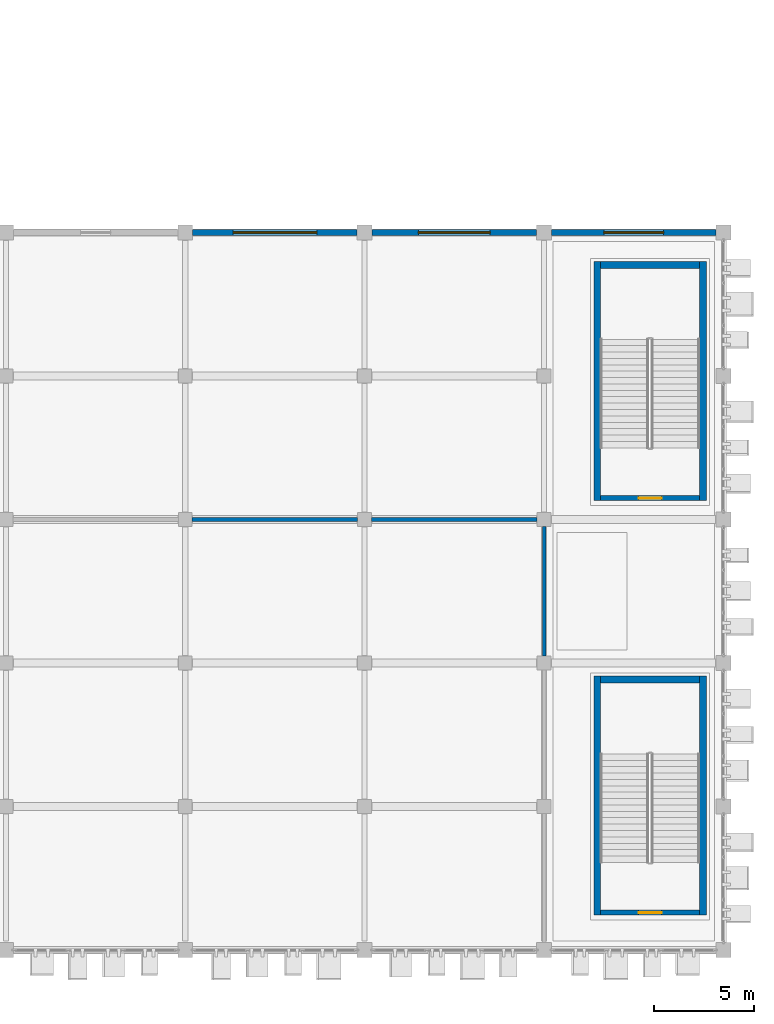
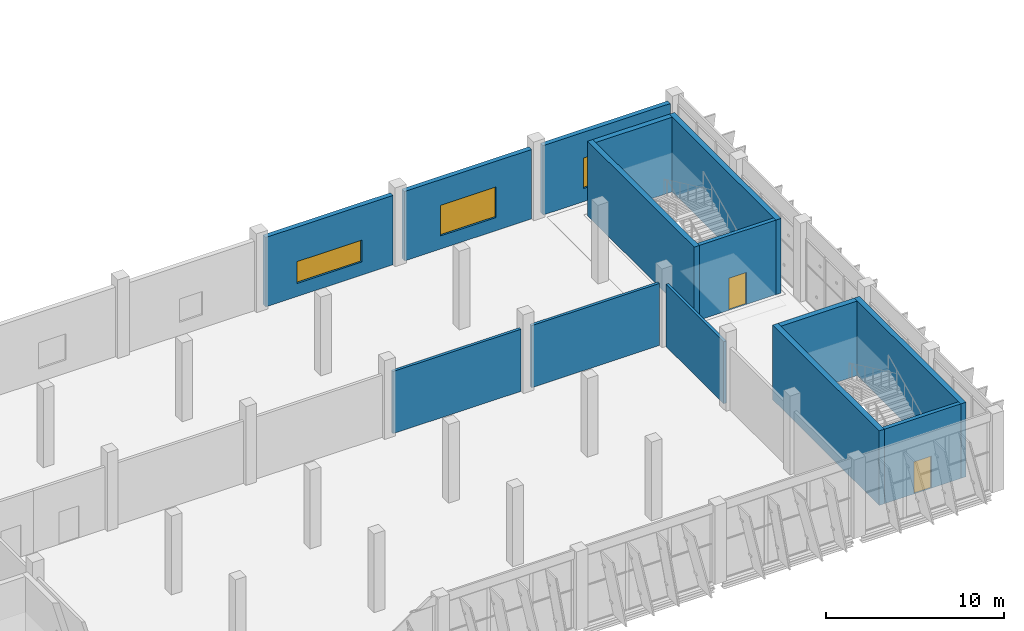
# One storey, part 136 of 189: 14 walls, 3 windows, 2 doors, 5 openings.
"""IFC4 building model written with IfcOpenShell, lengths in metres."""

import ifcopenshell
import ifcopenshell.guid

model = None  # the IFC model being written
_history = None  # IfcOwnerHistory: only IFC2X3 demands one
_inside = {}  # id of a spatial element -> (the spatial element, [elements in it])
_under = {}  # id of a project, library or spatial element -> (it, [spatial elements below it])
_declared = {}  # id of a project -> (the project, [libraries it declares])
_typed = {}  # id of a type object -> (the type object, [elements of that type])
_made_of = {}  # id of a material, layer set ... -> (it, [elements and type objects made of it])


def new_model(schema):
    """Start an empty IFC model of exactly this schema.

    Asked for "IFC4X3", IfcOpenShell would pick the latest addendum, in which some entities
    have other attributes; the version numbers below select the first issue.
    IFC2X3 requires an IfcOwnerHistory on every rooted entity: one is made here for all.
    """
    global model, _history
    if schema == "IFC4X3":
        model = ifcopenshell.file(schema_version=(4, 3, 0, 0))
    else:
        model = ifcopenshell.file(schema=schema)
    _inside.clear()
    _under.clear()
    _declared.clear()
    _typed.clear()
    _made_of.clear()
    _history = None
    if model.schema == "IFC2X3":
        org = make("IfcOrganization", Name="unknown")
        user = make(
            "IfcPersonAndOrganization",
            ThePerson=make("IfcPerson", FamilyName="unknown"),
            TheOrganization=org,
        )
        app = make(
            "IfcApplication",
            ApplicationDeveloper=org,
            Version="unknown",
            ApplicationFullName="unknown",
            ApplicationIdentifier="unknown",
        )
        _history = make(
            "IfcOwnerHistory",
            OwningUser=user,
            OwningApplication=app,
            ChangeAction="ADDED",
            CreationDate=0,
        )
    return model


def make(cls, **values):
    """One entity of the class cls with the attributes given. An attribute that is None is left unset."""
    return model.create_entity(
        cls, **{name: value for name, value in values.items() if value is not None}
    )


def rooted(cls, **values):
    """An entity with a GlobalId (a new one), such as an element, a storey or a relation."""
    return make(cls, GlobalId=ifcopenshell.guid.new(), OwnerHistory=_history, **values)


def si_unit(unit_type, name, prefix=None):
    """IfcSIUnit, for example si_unit("LENGTHUNIT", "METRE", prefix="MILLI")."""
    return make("IfcSIUnit", UnitType=unit_type, Prefix=prefix, Name=name)


def assignment(units):
    """IfcUnitAssignment: the units of a project."""
    return None if units is None else make("IfcUnitAssignment", Units=units)


def point(xyz):
    """IfcCartesianPoint."""
    return None if xyz is None else make("IfcCartesianPoint", Coordinates=xyz)


def direction(xyz):
    """IfcDirection."""
    return None if xyz is None else make("IfcDirection", DirectionRatios=xyz)


def frame(location, z_axis=None, x_axis=None):
    """IfcAxis2Placement3D, a coordinate frame: its origin and axes. An axis left out is left unset."""
    return make(
        "IfcAxis2Placement3D",
        Location=point(location),
        Axis=direction(z_axis),
        RefDirection=direction(x_axis),
    )


def frame_2d(location, x_axis=None):
    """IfcAxis2Placement2D, a coordinate frame in the plane: its origin and x axis."""
    return make(
        "IfcAxis2Placement2D", Location=point(location), RefDirection=direction(x_axis)
    )


def origin():
    """The frame at (0, 0, 0) with its axes left unset."""
    return frame((0.0, 0.0, 0.0))


def place(relative_to, where):
    """IfcLocalPlacement: puts the frame where relative to a parent placement (None: the world)."""
    return make(
        "IfcLocalPlacement", PlacementRelTo=relative_to, RelativePlacement=where
    )


def context(
    kind, dimensions, precision=None, world=None, true_north=None, identifier=None
):
    """IfcGeometricRepresentationContext, for example the 3D "Model" context."""
    return make(
        "IfcGeometricRepresentationContext",
        ContextIdentifier=identifier,
        ContextType=kind,
        CoordinateSpaceDimension=dimensions,
        Precision=precision,
        WorldCoordinateSystem=world,
        TrueNorth=true_north,
    )


def subcontext(parent, identifier, kind, view, scale=None):
    """IfcGeometricRepresentationSubContext, for example "Body" below "Model"."""
    return make(
        "IfcGeometricRepresentationSubContext",
        ContextIdentifier=identifier,
        ContextType=kind,
        ParentContext=parent,
        TargetScale=scale,
        TargetView=view,
    )


def project(units=None, contexts=None):
    """IfcProject with its units and contexts."""
    return rooted(
        "IfcProject",
        Name="project",
        RepresentationContexts=contexts,
        UnitsInContext=assignment(units),
    )


def spatial(cls, under=None, at=None, **own):
    """A site, building, storey or space (cls), placed at a placement, below another one or the project."""
    s = rooted(cls, ObjectPlacement=at, **own)
    if under is not None:
        _under.setdefault(under.id(), (under, []))[1].append(s)
    return s


def profile(cls, at=None, kind="AREA", **sizes):
    """A parametric profile (cls). Its sizes go by their IFC names, for example OverallWidth=200.0."""
    return make(cls, ProfileType=kind, Position=at, **sizes)


def rectangle(**sizes):
    """IfcRectangleProfileDef."""
    return profile("IfcRectangleProfileDef", **sizes)


def extrude(swept, where, along, depth):
    """IfcExtrudedAreaSolid: the profile swept, set in the frame where, extruded along a direction by depth."""
    return make(
        "IfcExtrudedAreaSolid",
        SweptArea=swept,
        Position=where,
        ExtrudedDirection=direction(along),
        Depth=depth,
    )


def shape(context_of_items, identifier, shape_type, items):
    """IfcShapeRepresentation: the items that make up one representation, for example the "Body"."""
    return make(
        "IfcShapeRepresentation",
        ContextOfItems=context_of_items,
        RepresentationIdentifier=identifier,
        RepresentationType=shape_type,
        Items=items,
    )


def material(Name=None, Category=None):
    """IfcMaterial."""
    return make("IfcMaterial", Name=Name, Category=Category)


def layer(
    of_material, thickness, ventilated=None, Name=None, Category=None, Priority=None
):
    """IfcMaterialLayer: one layer of a wall or slab, of a material (None: an air gap)."""
    return make(
        "IfcMaterialLayer",
        Material=of_material,
        LayerThickness=thickness,
        IsVentilated=ventilated,
        Name=Name,
        Category=Category,
        Priority=Priority,
    )


def layer_set(layers, Name=None):
    """IfcMaterialLayerSet."""
    return make("IfcMaterialLayerSet", MaterialLayers=layers, LayerSetName=Name)


def made_of(thing, what):
    """Note that an element or type object is made of a material, layer set ...; save() writes the relation."""
    if what is not None:
        _made_of.setdefault(what.id(), (what, []))[1].append(thing)
    return thing


def type_object(cls, material=None, **own):
    """A type object (cls), such as IfcWallType, which elements share."""
    return made_of(rooted(cls, **own), material)


def element(
    cls,
    number,
    at=None,
    inside=None,
    cuts=None,
    type_object=None,
    material=None,
    context=None,
    identifier="Body",
    shape_type=None,
    held_by="IfcProductDefinitionShape",
    body=None,
    shapes=None,
    **own,
):
    """One element of the class cls, such as IfcWall. Its Tag is "e" and its number.

    at: its placement. inside: the storey or other place that contains it. cuts: it is an
    opening in that element (IfcRelVoidsElement). A single representation is given by context,
    identifier, shape_type and body (its items); several are given by shapes. held_by: the class
    of the entity that holds the representations. save() writes the other relations.
    """
    e = rooted(cls, Tag="e%d" % number, ObjectPlacement=at, **own)
    if body is not None:
        shapes = [shape(context, identifier, shape_type, body)]
    if shapes is not None:
        e.Representation = make(held_by, Representations=shapes)
    if inside is not None:
        _inside.setdefault(inside.id(), (inside, []))[1].append(e)
    if cuts is not None:
        rooted(
            "IfcRelVoidsElement", RelatingBuildingElement=cuts, RelatedOpeningElement=e
        )
    if type_object is not None:
        _typed.setdefault(type_object.id(), (type_object, []))[1].append(e)
    return made_of(e, material)


def fill(opening, filler):
    """IfcRelFillsElement: the door or window that sits in an opening."""
    return rooted(
        "IfcRelFillsElement",
        RelatingOpeningElement=opening,
        RelatedBuildingElement=filler,
    )


def aggregate(whole, parts):
    """IfcRelAggregates: a whole, such as a stair, and the parts it consists of."""
    return rooted("IfcRelAggregates", RelatingObject=whole, RelatedObjects=parts)


def save(model, path):
    """Write the relations noted so far, then the file.

    IfcRelAggregates (storeys below a building ...), IfcRelContainedInSpatialStructure (elements
    in a storey), IfcRelDefinesByType, IfcRelAssociatesMaterial and IfcRelDeclares: one each for
    every whole, place, type object, material and project.
    """
    for whole, parts in _under.values():
        aggregate(whole, parts)
    for where, things in _inside.values():
        rooted(
            "IfcRelContainedInSpatialStructure",
            RelatedElements=things,
            RelatingStructure=where,
        )
    for kind, things in _typed.values():
        rooted("IfcRelDefinesByType", RelatedObjects=things, RelatingType=kind)
    for what, things in _made_of.values():
        rooted("IfcRelAssociatesMaterial", RelatedObjects=things, RelatingMaterial=what)
    for by, libraries in _declared.values():
        rooted("IfcRelDeclares", RelatingContext=by, RelatedDefinitions=libraries)
    model.write(path)


model = new_model("IFC4")

# Units and contexts
model_context = context("Model", 3, precision=1e-05, world=origin(), true_north=direction((0.0, 1.0)))
body_context = subcontext(model_context, "Body", "Model", "MODEL_VIEW")
ifc_project = project(units=[si_unit("LENGTHUNIT", "METRE"), si_unit("AREAUNIT", "SQUARE_METRE"), si_unit("VOLUMEUNIT", "CUBIC_METRE"), si_unit("PLANEANGLEUNIT", "RADIAN"), si_unit("MASSUNIT", "GRAM", prefix="KILO")], contexts=[model_context])

# Site, building, storey
site_placement = place(None, origin())
site = spatial("IfcSite", under=ifc_project, at=site_placement, CompositionType="ELEMENT")
building_placement = place(site_placement, origin())
building = spatial("IfcBuilding", under=site, at=building_placement, Name="Celestram Park Convention Centre", CompositionType="ELEMENT")
storey_placement = place(building_placement, frame((0.0, 0.0, 5.39990234375)))
storey = spatial("IfcBuildingStorey", under=building, at=storey_placement, Name="L01", CompositionType="ELEMENT", Elevation=5.39990234375)

# Wall, opening, door
ifc_material_1 = material(Name="Concrete Block Masonry C25/30", Category="masonry")
ifc_layer_1 = layer(ifc_material_1, 0.25)
ifc_layer_set_1 = layer_set([ifc_layer_1], Name="Concrete Block Masonry C25/30")
wall_type_1 = type_object("IfcWallType", Name="ARC-WL-COR250", PredefinedType="STANDARD", material=ifc_layer_set_1)
wall_1_placement = place(storey_placement, frame((209.840087890625, 1.875, 0.0), z_axis=(0.0, 0.0, 1.0), x_axis=(1.0, 0.0, 0.0)))
wall_1 = element("IfcWall", 1, at=wall_1_placement, inside=storey, type_object=wall_type_1, Name="Core S11 stair entrance wall", PredefinedType="STANDARD", context=body_context, shape_type="SweptSolid", body=[
    extrude(rectangle(XDim=4.9599609375, YDim=0.25, at=frame_2d((2.47998046875, 0.0))), origin(), (0.0, 0.0, 1.0), 5.1201171875),
])
opening_1_placement = place(wall_1_placement, frame((1.905029296875, 0.0, 0.0)))
opening_1 = element("IfcOpeningElement", 2, at=opening_1_placement, cuts=wall_1, Name="Opening D-ST1", PredefinedType="OPENING", context=body_context, shape_type="SweptSolid", body=[
    extrude(rectangle(XDim=1.14990234375, YDim=2.199951171875, at=frame_2d((0.574951171875, 1.10009765625))), frame((0.0, 0.135009765625, 0.0), z_axis=(0.0, -1.0, 0.0), x_axis=(1.0, 0.0, 0.0)), (0.0, 0.0, 1.0), 0.27001953125),
])
ifc_material_2 = material(Name="Fire-Rated Hollow Metal Steel ASTM A653", Category="steel")
door_type = type_object("IfcDoorType", Name="ARC-DR-ST115", OperationType="NOTDEFINED", PredefinedType="DOOR", material=ifc_material_2)
door_1_placement = place(opening_1_placement, origin())
door_1 = element("IfcDoor", 3, at=door_1_placement, inside=storey, type_object=door_type, Name="Exit stair ST-11 fire door", OperationType="SINGLE_SWING_RIGHT", OverallHeight=2.199951171875, OverallWidth=1.14990234375, PredefinedType="DOOR", context=body_context, shape_type="SweptSolid", body=[
    extrude(rectangle(XDim=1.14990234375, YDim=2.199951171875, at=frame_2d((0.574951171875, 1.10009765625))), frame((0.0, 0.02490234375, 0.0), z_axis=(0.0, -1.0, 0.0), x_axis=(1.0, 0.0, 0.0)), (0.0, 0.0, 1.0), 0.050048828125),
])
fill(opening_1, door_1)

wall_2_placement = place(storey_placement, frame((209.840087890625, 22.675048828125, 0.0), z_axis=(0.0, 0.0, 1.0), x_axis=(1.0, 0.0, 0.0)))
wall_2 = element("IfcWall", 4, at=wall_2_placement, inside=storey, type_object=wall_type_1, Name="Core S12 stair entrance wall", PredefinedType="STANDARD", context=body_context, shape_type="SweptSolid", body=[
    extrude(rectangle(XDim=4.9599609375, YDim=0.25, at=frame_2d((2.47998046875, 0.0))), origin(), (0.0, 0.0, 1.0), 5.1201171875),
])
opening_2_placement = place(wall_2_placement, frame((1.905029296875, 0.0, 0.0)))
opening_2 = element("IfcOpeningElement", 5, at=opening_2_placement, cuts=wall_2, Name="Opening D-ST1", PredefinedType="OPENING", context=body_context, shape_type="SweptSolid", body=[
    extrude(rectangle(XDim=1.14990234375, YDim=2.199951171875, at=frame_2d((0.574951171875, 1.10009765625))), frame((0.0, 0.135009765625, 0.0), z_axis=(0.0, -1.0, 0.0), x_axis=(1.0, 0.0, 0.0)), (0.0, 0.0, 1.0), 0.27001953125),
])
door_2_placement = place(opening_2_placement, origin())
door_2 = element("IfcDoor", 6, at=door_2_placement, inside=storey, type_object=door_type, Name="Exit stair ST-12 fire door", OperationType="SINGLE_SWING_LEFT", OverallHeight=2.199951171875, OverallWidth=1.14990234375, PredefinedType="DOOR", context=body_context, shape_type="SweptSolid", body=[
    extrude(rectangle(XDim=1.14990234375, YDim=2.199951171875, at=frame_2d((0.574951171875, 1.10009765625))), frame((0.0, 0.02490234375, 0.0), z_axis=(0.0, -1.0, 0.0), x_axis=(1.0, 0.0, 0.0)), (0.0, 0.0, 1.0), 0.050048828125),
])
fill(opening_2, door_2)

# Wall, opening, window
ifc_material_3 = material(Name="Precast Concrete C40/50", Category="concrete")
ifc_layer_2 = layer(ifc_material_3, 0.300048828125)
ifc_layer_set_2 = layer_set([ifc_layer_2], Name="Precast Concrete C40/50")
wall_type_2 = type_object("IfcWallType", Name="ARC-WL-EXT300", PredefinedType="STANDARD", material=ifc_layer_set_2)
wall_3_placement = place(storey_placement, frame((189.373046875, 36.0, 0.0), z_axis=(0.0, 0.0, 1.0), x_axis=(1.0, 0.0, 0.0)))
wall_3 = element("IfcWall", 7, at=wall_3_placement, inside=storey, type_object=wall_type_2, Name="Bush-hammered precast exterior wall WL-L01-EW115", PredefinedType="STANDARD", context=body_context, shape_type="SweptSolid", body=[
    extrude(rectangle(XDim=8.25390625, YDim=0.300048828125, at=frame_2d((4.126953125, 0.0))), origin(), (0.0, 0.0, 1.0), 4.76416015625),
])
opening_3_placement = place(wall_3_placement, frame((2.027099609375, 0.0, 0.89990234375)))
opening_3 = element("IfcOpeningElement", 8, at=opening_3_placement, cuts=wall_3, Name="Opening W-08", PredefinedType="OPENING", context=body_context, shape_type="SweptSolid", body=[
    extrude(rectangle(XDim=4.199951171875, YDim=1.5, at=frame_2d((2.10009765625, 0.75))), frame((0.0, 0.159912109375, 0.0), z_axis=(0.0, -1.0, 0.0), x_axis=(1.0, 0.0, 0.0)), (0.0, 0.0, 1.0), 0.320068359375),
])
ifc_material_4 = material(Name="Thermally Broken Aluminium & Triple Glazing", Category="aluminium")
window_type_1 = type_object("IfcWindowType", Name="ARC-WN-420X150", PartitioningType="SINGLE_PANEL", PredefinedType="WINDOW", material=ifc_material_4)
window_1_placement = place(opening_3_placement, origin())
window_1 = element("IfcWindow", 9, at=window_1_placement, inside=storey, type_object=window_type_1, Name="Punched exterior window WN-L01-032", OverallHeight=1.5, OverallWidth=4.199951171875, PartitioningType="SINGLE_PANEL", PredefinedType="WINDOW", context=body_context, shape_type="SweptSolid", body=[
    extrude(rectangle(XDim=4.199951171875, YDim=1.5, at=frame_2d((2.10009765625, 0.75))), frame((0.0, 0.030029296875, 0.0), z_axis=(0.0, -1.0, 0.0), x_axis=(1.0, 0.0, 0.0)), (0.0, 0.0, 1.0), 0.06005859375),
])
fill(opening_3, window_1)

wall_4_placement = place(storey_placement, frame((198.373046875, 36.0, 0.0), z_axis=(0.0, 0.0, 1.0), x_axis=(1.0, 0.0, 0.0)))
wall_4 = element("IfcWall", 10, at=wall_4_placement, inside=storey, type_object=wall_type_2, Name="Bush-hammered precast exterior wall WL-L01-EW116", PredefinedType="STANDARD", context=body_context, shape_type="SweptSolid", body=[
    extrude(rectangle(XDim=8.25390625, YDim=0.300048828125, at=frame_2d((4.126953125, 0.0))), origin(), (0.0, 0.0, 1.0), 4.76416015625),
])
opening_4_placement = place(wall_4_placement, frame((2.326904296875, 0.0, 0.89990234375)))
opening_4 = element("IfcOpeningElement", 11, at=opening_4_placement, cuts=wall_4, Name="Opening W-01", PredefinedType="OPENING", context=body_context, shape_type="SweptSolid", body=[
    extrude(rectangle(XDim=3.60009765625, YDim=2.10009765625, at=frame_2d((1.800048828125, 1.050048828125))), frame((0.0, 0.159912109375, 0.0), z_axis=(0.0, -1.0, 0.0), x_axis=(1.0, 0.0, 0.0)), (0.0, 0.0, 1.0), 0.320068359375),
])
window_type_2 = type_object("IfcWindowType", Name="ARC-WN-360X220", PartitioningType="SINGLE_PANEL", PredefinedType="WINDOW", material=ifc_material_4)
window_2_placement = place(opening_4_placement, origin())
window_2 = element("IfcWindow", 12, at=window_2_placement, inside=storey, type_object=window_type_2, Name="Punched exterior window WN-L01-033", OverallHeight=2.10009765625, OverallWidth=3.60009765625, PartitioningType="SINGLE_PANEL", PredefinedType="WINDOW", context=body_context, shape_type="SweptSolid", body=[
    extrude(rectangle(XDim=3.60009765625, YDim=2.10009765625, at=frame_2d((1.800048828125, 1.050048828125))), frame((0.0, 0.030029296875, 0.0), z_axis=(0.0, -1.0, 0.0), x_axis=(1.0, 0.0, 0.0)), (0.0, 0.0, 1.0), 0.06005859375),
])
fill(opening_4, window_2)

wall_5_placement = place(storey_placement, frame((207.373046875, 36.0, 0.0), z_axis=(0.0, 0.0, 1.0), x_axis=(1.0, 0.0, 0.0)))
wall_5 = element("IfcWall", 13, at=wall_5_placement, inside=storey, type_object=wall_type_2, Name="Bush-hammered precast exterior wall WL-L01-EW117", PredefinedType="STANDARD", context=body_context, shape_type="SweptSolid", body=[
    extrude(rectangle(XDim=8.25390625, YDim=0.300048828125, at=frame_2d((4.126953125, 0.0))), origin(), (0.0, 0.0, 1.0), 4.76416015625),
])
opening_5_placement = place(wall_5_placement, frame((2.626953125, 0.0, 0.89990234375)))
opening_5 = element("IfcOpeningElement", 14, at=opening_5_placement, cuts=wall_5, Name="Opening W-02", PredefinedType="OPENING", context=body_context, shape_type="SweptSolid", body=[
    extrude(rectangle(XDim=3.0, YDim=2.10009765625, at=frame_2d((1.5, 1.050048828125))), frame((0.0, 0.159912109375, 0.0), z_axis=(0.0, -1.0, 0.0), x_axis=(1.0, 0.0, 0.0)), (0.0, 0.0, 1.0), 0.320068359375),
])
window_type_3 = type_object("IfcWindowType", Name="ARC-WN-300X220", PartitioningType="SINGLE_PANEL", PredefinedType="WINDOW", material=ifc_material_4)
window_3_placement = place(opening_5_placement, origin())
window_3 = element("IfcWindow", 15, at=window_3_placement, inside=storey, type_object=window_type_3, Name="Punched exterior window WN-L01-034", OverallHeight=2.10009765625, OverallWidth=3.0, PartitioningType="SINGLE_PANEL", PredefinedType="WINDOW", context=body_context, shape_type="SweptSolid", body=[
    extrude(rectangle(XDim=3.0, YDim=2.10009765625, at=frame_2d((1.5, 1.050048828125))), frame((0.0, 0.030029296875, 0.0), z_axis=(0.0, -1.0, 0.0), x_axis=(1.0, 0.0, 0.0)), (0.0, 0.0, 1.0), 0.06005859375),
])
fill(opening_5, window_3)

# Walls
ifc_material_5 = material(Name="Fire-Rated Gypsum & Steel Stud 180 mm", Category="steel")
ifc_layer_3 = layer(ifc_material_5, 0.179931640625)
ifc_layer_set_3 = layer_set([ifc_layer_3], Name="Fire-Rated Gypsum & Steel Stud 180 mm")
wall_type_3 = type_object("IfcWallType", Name="ARC-WL-PRT180", PredefinedType="PARTITIONING", material=ifc_layer_set_3)
for number, where, z_axis, x_axis, name in (
    (16, (189.347900390625, 21.60009765625, 0.0), (0.0, 0.0, 1.0), (1.0, 0.0, 0.0), "Interior partition WL-L01-IN0692"),
    (17, (198.347900390625, 21.60009765625, 0.0), (0.0, 0.0, 1.0), (1.0, 0.0, 0.0), "Interior partition WL-L01-IN0693"),
):
    element("IfcWall", number, at=place(storey_placement, frame(where, z_axis=z_axis, x_axis=x_axis)), inside=storey, type_object=wall_type_3, Name=name, PredefinedType="PARTITIONING", context=body_context, shape_type="SweptSolid", body=[
        extrude(rectangle(XDim=8.30419921875, YDim=0.179931640625, at=frame_2d((4.152099609375, 0.0))), origin(), (0.0, 0.0, 1.0), 4.26416015625),
    ])
wall_6_placement = place(storey_placement, frame((207.0, 14.748046875, 0.0), z_axis=(0.0, 0.0, 1.0), x_axis=(0.0, 1.0, 0.0)))
element("IfcWall", 18, at=wall_6_placement, inside=storey, type_object=wall_type_3, Name="Interior partition WL-L01-IN0785", PredefinedType="PARTITIONING", context=body_context, shape_type="SweptSolid", body=[
    extrude(rectangle(XDim=6.50390625, YDim=0.179931640625, at=frame_2d((3.251953125, 0.0))), origin(), (0.0, 0.0, 1.0), 4.26416015625),
])
ifc_material_6 = material(Name="Concrete C40/50", Category="concrete")
ifc_layer_4 = layer(ifc_material_6, 0.340087890625)
ifc_layer_set_4 = layer_set([ifc_layer_4], Name="Concrete C40/50")
wall_type_4 = type_object("IfcWallType", Name="STR-WL-SHR340", PredefinedType="SHEAR", material=ifc_layer_set_4)
for number, where, z_axis, x_axis, name in (
    (19, (209.669921875, 1.75, 0.0), (0.0, 0.0, 1.0), (0.0, 1.0, 0.0), "Core S11 shear wall L"),
    (20, (214.969970703125, 13.739990234375, 0.0), (0.0, 0.0, 1.0), (0.0, -1.0, 0.0), "Core S11 shear wall R"),
):
    element("IfcWall", number, at=place(storey_placement, frame(where, z_axis=z_axis, x_axis=x_axis)), inside=storey, type_object=wall_type_4, Name=name, PredefinedType="SHEAR", context=body_context, shape_type="SweptSolid", body=[
        extrude(rectangle(XDim=11.989990234375, YDim=0.340087890625, at=frame_2d((5.9951171875, 0.0))), origin(), (0.0, 0.0, 1.0), 5.1201171875),
    ])
wall_7_placement = place(storey_placement, frame((209.840087890625, 13.570068359375, 0.0), z_axis=(0.0, 0.0, 1.0), x_axis=(1.0, 0.0, 0.0)))
element("IfcWall", 21, at=wall_7_placement, inside=storey, type_object=wall_type_4, Name="Core S11 shear wall F", PredefinedType="SHEAR", context=body_context, shape_type="SweptSolid", body=[
    extrude(rectangle(XDim=4.9599609375, YDim=0.340087890625, at=frame_2d((2.47998046875, 0.0))), origin(), (0.0, 0.0, 1.0), 5.1201171875),
])
for number, where, z_axis, x_axis, name in (
    (22, (209.669921875, 22.550048828125, 0.0), (0.0, 0.0, 1.0), (0.0, 1.0, 0.0), "Core S12 shear wall L"),
    (23, (214.969970703125, 34.5400390625, 0.0), (0.0, 0.0, 1.0), (0.0, -1.0, 0.0), "Core S12 shear wall R"),
):
    element("IfcWall", number, at=place(storey_placement, frame(where, z_axis=z_axis, x_axis=x_axis)), inside=storey, type_object=wall_type_4, Name=name, PredefinedType="SHEAR", context=body_context, shape_type="SweptSolid", body=[
        extrude(rectangle(XDim=11.989990234375, YDim=0.340087890625, at=frame_2d((5.9951171875, 0.0))), origin(), (0.0, 0.0, 1.0), 5.1201171875),
    ])
wall_8_placement = place(storey_placement, frame((209.840087890625, 34.3701171875, 0.0), z_axis=(0.0, 0.0, 1.0), x_axis=(1.0, 0.0, 0.0)))
element("IfcWall", 24, at=wall_8_placement, inside=storey, type_object=wall_type_4, Name="Core S12 shear wall F", PredefinedType="SHEAR", context=body_context, shape_type="SweptSolid", body=[
    extrude(rectangle(XDim=4.9599609375, YDim=0.340087890625, at=frame_2d((2.47998046875, 0.0))), origin(), (0.0, 0.0, 1.0), 5.1201171875),
])

save(model, "model.ifc")
